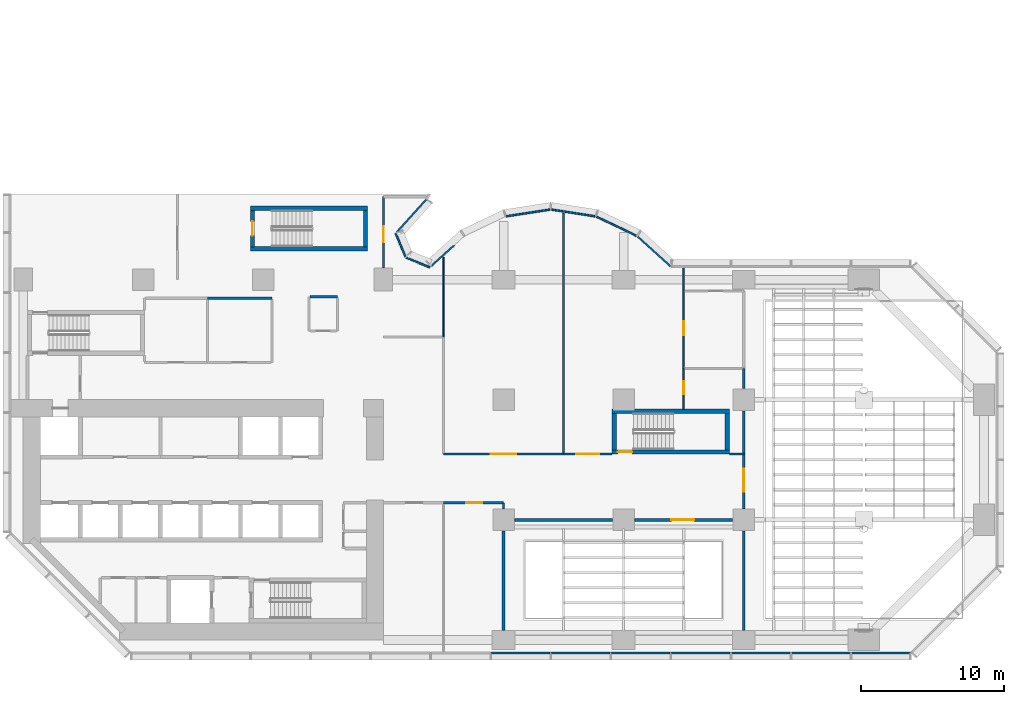
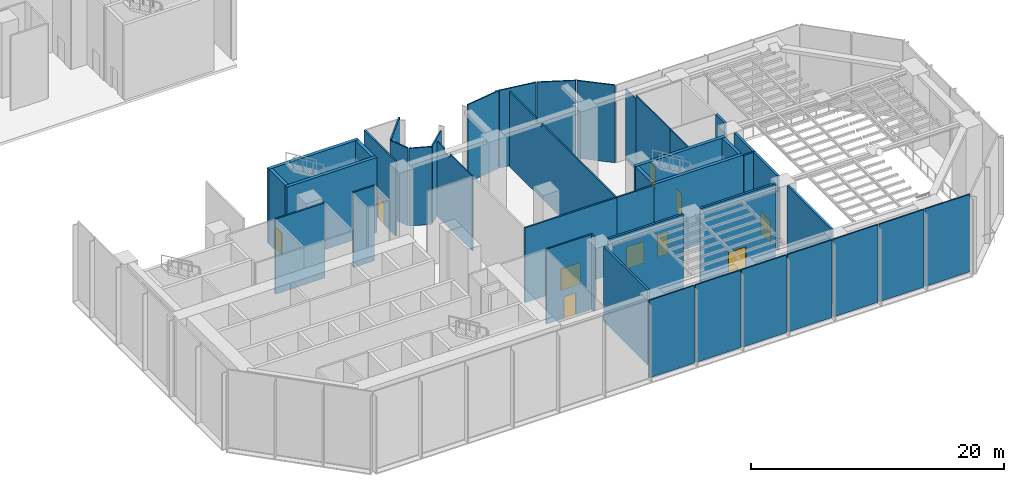
# One storey, part 14 of 22: 43 walls, 10 doors, 10 openings.
"""IFC4 building model written with IfcOpenShell, lengths in metres."""

from ifc_helpers import new_model, si_unit, direction, frame, frame_2d, origin, place, context, subcontext, project, spatial, polyline, rectangle, outline, extrude, material, layer, layer_set, type_object, element, fill, save


model = new_model("IFC4")

# Units and contexts
model_context = context("Model", 3, precision=1e-05, world=origin(), true_north=direction((0.0, 1.0)))
body_context = subcontext(model_context, "Body", "Model", "MODEL_VIEW")
ifc_project = project(units=[si_unit("LENGTHUNIT", "METRE"), si_unit("AREAUNIT", "SQUARE_METRE"), si_unit("VOLUMEUNIT", "CUBIC_METRE"), si_unit("PLANEANGLEUNIT", "RADIAN"), si_unit("MASSUNIT", "GRAM", prefix="KILO")], contexts=[model_context])

# Site, building, storey
site_placement = place(None, origin())
site = spatial("IfcSite", under=ifc_project, at=site_placement, CompositionType="ELEMENT")
building_placement = place(site_placement, origin())
building = spatial("IfcBuilding", under=site, at=building_placement, Name="Brevane Broadcast Tower", CompositionType="ELEMENT")
storey_placement = place(building_placement, frame((0.0, 0.0, 20.0)))
storey = spatial("IfcBuildingStorey", under=building, at=storey_placement, Name="L03", CompositionType="ELEMENT", Elevation=20.0)

# Walls
ifc_material_1 = material(Name="Gypsum board on steel studs", Category="steel")
ifc_layer_1 = layer(ifc_material_1, 0.14990234375)
ifc_layer_set_1 = layer_set([ifc_layer_1], Name="Core fire partition 150 mm")
wall_type_1 = type_object("IfcWallType", Name="Core fire partition 150 mm", PredefinedType="PARTITIONING", material=ifc_layer_set_1)
wall_1_placement = place(storey_placement, frame((12.89990234375, 23.89990234375, 0.0), z_axis=(0.0, 0.0, 1.0), x_axis=(1.0, 0.0, 0.0)))
element("IfcWall", 1, at=wall_1_placement, inside=storey, type_object=wall_type_1, Name="L03 partition wall P18", PredefinedType="PARTITIONING", context=body_context, shape_type="SweptSolid", body=[
    extrude(rectangle(XDim=4.5, YDim=0.14990234375, at=frame_2d((2.25, 0.0))), origin(), (0.0, 0.0, 1.0), 7.25),
])
wall_2_placement = place(storey_placement, frame((20.074951171875, 24.0, 0.0), z_axis=(0.0, 0.0, 1.0), x_axis=(1.0, 0.0, 0.0)))
element("IfcWall", 2, at=wall_2_placement, inside=storey, type_object=wall_type_1, Name="L03 partition wall P25", PredefinedType="PARTITIONING", context=body_context, shape_type="SweptSolid", body=[
    extrude(rectangle(XDim=1.925048828125, YDim=0.14990234375, at=frame_2d((0.96240234375, 0.0))), origin(), (0.0, 0.0, 1.0), 7.25),
])
ifc_material_2 = material(Name="Concrete C80/95", Category="concrete")
ifc_layer_2 = layer(ifc_material_2, 0.300048828125)
ifc_layer_set_2 = layer_set([ifc_layer_2], Name="Core wall 300 mm C80/95")
wall_type_2 = type_object("IfcWallType", Name="Core wall 300 mm C80/95", PredefinedType="SHEAR", material=ifc_layer_set_2)
for number, where, z_axis, x_axis, name in (
    (3, (15.89990234375, 27.35009765625, 0.0), (0.0, 0.0, 1.0), (1.0, 0.0, 0.0), "L03 stair wall ST-3-S"),
    (4, (15.89990234375, 30.199951171875, 0.0), (0.0, 0.0, 1.0), (1.0, 0.0, 0.0), "L03 stair wall ST-3-N"),
):
    element("IfcWall", number, at=place(storey_placement, frame(where, z_axis=z_axis, x_axis=x_axis)), inside=storey, type_object=wall_type_2, Name=name, PredefinedType="SHEAR", context=body_context, shape_type="SweptSolid", body=[
        extrude(rectangle(XDim=8.2001953125, YDim=0.300048828125, at=frame_2d((4.10009765625, 0.0))), origin(), (0.0, 0.0, 1.0), 7.25),
    ])

# Wall, opening, door
wall_3_placement = place(storey_placement, frame((16.050048828125, 27.5, 0.0), z_axis=(0.0, 0.0, 1.0), x_axis=(0.0, 1.0, 0.0)))
wall_3 = element("IfcWall", 5, at=wall_3_placement, inside=storey, type_object=wall_type_2, Name="L03 stair wall ST-3-W", PredefinedType="SHEAR", context=body_context, shape_type="SweptSolid", body=[
    extrude(rectangle(XDim=2.550048828125, YDim=0.300048828125, at=frame_2d((1.27490234375, 0.0))), origin(), (0.0, 0.0, 1.0), 7.25),
])
opening_1_placement = place(wall_3_placement, frame((0.77490234375, 0.0, 0.0)))
opening_1 = element("IfcOpeningElement", 6, at=opening_1_placement, cuts=wall_3, Name="Opening L03-K15", PredefinedType="OPENING", context=body_context, shape_type="SweptSolid", body=[
    extrude(rectangle(XDim=1.0, YDim=2.10009765625, at=frame_2d((0.5, 1.050048828125))), frame((0.0, 0.159912109375, 0.0), z_axis=(0.0, -1.0, 0.0), x_axis=(1.0, 0.0, 0.0)), (0.0, 0.0, 1.0), 0.320068359375),
])
ifc_material_3 = material(Name="Steel", Category="steel")
door_type_1 = type_object("IfcDoorType", Name="Stair door 1000 x 2100", OperationType="SINGLE_SWING_LEFT", PredefinedType="DOOR", material=ifc_material_3)
door_1_placement = place(opening_1_placement, origin())
door_1 = element("IfcDoor", 7, at=door_1_placement, inside=storey, type_object=door_type_1, Name="Door L03-K15", OperationType="SINGLE_SWING_RIGHT", OverallHeight=2.10009765625, OverallWidth=1.0, PredefinedType="DOOR", context=body_context, shape_type="SweptSolid", body=[
    extrude(rectangle(XDim=1.0, YDim=2.10009765625, at=frame_2d((0.5, 1.050048828125))), frame((0.0, 0.02490234375, 0.0), z_axis=(0.0, -1.0, 0.0), x_axis=(1.0, 0.0, 0.0)), (0.0, 0.0, 1.0), 0.050048828125),
])
fill(opening_1, door_1)

# Wall
wall_4_placement = place(storey_placement, frame((23.949951171875, 27.5, 0.0), z_axis=(0.0, 0.0, 1.0), x_axis=(0.0, 1.0, 0.0)))
element("IfcWall", 8, at=wall_4_placement, inside=storey, type_object=wall_type_2, Name="L03 stair wall ST-3-E", PredefinedType="SHEAR", context=body_context, shape_type="SweptSolid", body=[
    extrude(rectangle(XDim=2.550048828125, YDim=0.300048828125, at=frame_2d((1.27490234375, 0.0))), origin(), (0.0, 0.0, 1.0), 7.25),
])

# Wall, opening, door
wall_5_placement = place(storey_placement, frame((49.39990234375, 13.14990234375, 0.0), z_axis=(0.0, 0.0, 1.0), x_axis=(-1.0, 0.0, 0.0)))
wall_5 = element("IfcWall", 9, at=wall_5_placement, inside=storey, type_object=wall_type_2, Name="L03 stair wall ST-4-S", PredefinedType="SHEAR", context=body_context, shape_type="SweptSolid", body=[
    extrude(rectangle(XDim=8.199951171875, YDim=0.300048828125, at=frame_2d((4.10009765625, 0.0))), origin(), (0.0, 0.0, 1.0), 7.25),
])
opening_2_placement = place(wall_5_placement, frame((6.800048828125, 0.0, 0.0)))
opening_2 = element("IfcOpeningElement", 10, at=opening_2_placement, cuts=wall_5, Name="Opening L03-K16", PredefinedType="OPENING", context=body_context, shape_type="SweptSolid", body=[
    extrude(rectangle(XDim=1.0, YDim=2.10009765625, at=frame_2d((0.5, 1.050048828125))), frame((0.0, 0.159912109375, 0.0), z_axis=(0.0, -1.0, 0.0), x_axis=(1.0, 0.0, 0.0)), (0.0, 0.0, 1.0), 0.320068359375),
])
door_2_placement = place(opening_2_placement, origin())
door_2 = element("IfcDoor", 11, at=door_2_placement, inside=storey, type_object=door_type_1, Name="Door L03-K16", OperationType="SINGLE_SWING_LEFT", OverallHeight=2.10009765625, OverallWidth=1.0, PredefinedType="DOOR", context=body_context, shape_type="SweptSolid", body=[
    extrude(rectangle(XDim=1.0, YDim=2.10009765625, at=frame_2d((0.5, 1.050048828125))), frame((0.0, 0.02490234375, 0.0), z_axis=(0.0, -1.0, 0.0), x_axis=(1.0, 0.0, 0.0)), (0.0, 0.0, 1.0), 0.050048828125),
])
fill(opening_2, door_2)

# Walls
wall_6_placement = place(storey_placement, frame((41.199951171875, 16.0, 0.0), z_axis=(0.0, 0.0, 1.0), x_axis=(1.0, 0.0, 0.0)))
element("IfcWall", 12, at=wall_6_placement, inside=storey, type_object=wall_type_2, Name="L03 stair wall ST-4-N", PredefinedType="SHEAR", context=body_context, shape_type="SweptSolid", body=[
    extrude(rectangle(XDim=8.199951171875, YDim=0.300048828125, at=frame_2d((4.10009765625, 0.0))), origin(), (0.0, 0.0, 1.0), 7.25),
])
for number, where, z_axis, x_axis, name in (
    (13, (41.35009765625, 13.300048828125, 0.0), (0.0, 0.0, 1.0), (0.0, 1.0, 0.0), "L03 stair wall ST-4-W"),
    (14, (49.25, 13.300048828125, 0.0), (0.0, 0.0, 1.0), (0.0, 1.0, 0.0), "L03 stair wall ST-4-E"),
):
    element("IfcWall", number, at=place(storey_placement, frame(where, z_axis=z_axis, x_axis=x_axis)), inside=storey, type_object=wall_type_2, Name=name, PredefinedType="SHEAR", context=body_context, shape_type="SweptSolid", body=[
        extrude(rectangle(XDim=2.550048828125, YDim=0.300048828125, at=frame_2d((1.27490234375, 0.0))), origin(), (0.0, 0.0, 1.0), 7.25),
    ])
ifc_material_4 = material(Name="Gypsum board partition")
ifc_layer_3 = layer(ifc_material_4, 0.10009765625)
ifc_layer_set_3 = layer_set([ifc_layer_3], Name="PARTITION 100 STUD")
wall_type_3 = type_object("IfcWallType", Name="PARTITION 100 STUD", PredefinedType="PARTITIONING", material=ifc_layer_set_3)
wall_7_placement = place(storey_placement, frame((29.39990234375, 26.775634765625, 0.0), z_axis=(0.0, 0.0, 1.0), x_axis=(0.0, -1.0, 0.0)))
element("IfcWall", 15, at=wall_7_placement, inside=storey, type_object=wall_type_3, Name="Partition P3-004", PredefinedType="PARTITIONING", context=body_context, shape_type="SweptSolid", body=[
    extrude(outline(polyline([(0.0, 0.0), (5.57568359375, 0.0), (5.57568359375, 7.22998046875), (2.025634765625, 7.22998046875), (2.023681640625, 6.8798828125), (1.127685546875, 6.8798828125), (1.125732421875, 7.22998046875), (0.0, 7.22998046875), (0.0, 0.0)])), frame((0.0, 0.050048828125, 0.0), z_axis=(0.0, -1.0, 0.0), x_axis=(1.0, 0.0, 0.0)), (0.0, 0.0, 1.0), 0.10009765625),
])

# Wall, opening, door
wall_8_placement = place(storey_placement, frame((46.199951171875, 19.0, 0.0), z_axis=(0.0, 0.0, 1.0), x_axis=(0.0, -1.0, 0.0)))
wall_8 = element("IfcWall", 16, at=wall_8_placement, inside=storey, type_object=wall_type_3, Name="Partition P3-023", PredefinedType="PARTITIONING", context=body_context, shape_type="SweptSolid", body=[
    extrude(rectangle(XDim=2.85009765625, YDim=0.10009765625, at=frame_2d((1.425048828125, 0.0))), origin(), (0.0, 0.0, 1.0), 7.22998046875),
])
opening_3_placement = place(wall_8_placement, frame((0.89990234375, 0.0, 0.0)))
opening_3 = element("IfcOpeningElement", 17, at=opening_3_placement, cuts=wall_8, Name="Opening D04-008", PredefinedType="OPENING", context=body_context, shape_type="SweptSolid", body=[
    extrude(rectangle(XDim=0.89990234375, YDim=2.10009765625, at=frame_2d((0.449951171875, 1.050048828125))), frame((0.0, 0.06005859375, 0.0), z_axis=(0.0, -1.0, 0.0), x_axis=(1.0, 0.0, 0.0)), (0.0, 0.0, 1.0), 0.1201171875),
])
ifc_material_5 = material(Name="Timber door leaf", Category="wood")
door_type_2 = type_object("IfcDoorType", Name="DOOR SINGLE 900 INTERNAL", OperationType="SINGLE_SWING_LEFT", PredefinedType="DOOR", material=ifc_material_5)
door_3_placement = place(opening_3_placement, origin())
door_3 = element("IfcDoor", 18, at=door_3_placement, inside=storey, type_object=door_type_2, Name="Door D04-008", OperationType="SINGLE_SWING_LEFT", OverallHeight=2.10009765625, OverallWidth=0.89990234375, PredefinedType="DOOR", context=body_context, shape_type="SweptSolid", body=[
    extrude(rectangle(XDim=0.89990234375, YDim=2.10009765625, at=frame_2d((0.449951171875, 1.050048828125))), frame((0.0, 0.02490234375, 0.0), z_axis=(0.0, -1.0, 0.0), x_axis=(1.0, 0.0, 0.0)), (0.0, 0.0, 1.0), 0.050048828125),
])
fill(opening_3, door_3)

wall_9_placement = place(storey_placement, frame((46.199951171875, 24.39990234375, 0.0), z_axis=(0.0, 0.0, 1.0), x_axis=(0.0, -1.0, 0.0)))
wall_9 = element("IfcWall", 19, at=wall_9_placement, inside=storey, type_object=wall_type_3, Name="Partition P3-024", PredefinedType="PARTITIONING", context=body_context, shape_type="SweptSolid", body=[
    extrude(rectangle(XDim=5.39990234375, YDim=0.10009765625, at=frame_2d((2.699951171875, 0.0))), origin(), (0.0, 0.0, 1.0), 7.22998046875),
])
opening_4_placement = place(wall_9_placement, frame((2.10009765625, 0.0, 0.0)))
opening_4 = element("IfcOpeningElement", 20, at=opening_4_placement, cuts=wall_9, Name="Opening D04-009", PredefinedType="OPENING", context=body_context, shape_type="SweptSolid", body=[
    extrude(rectangle(XDim=1.0, YDim=2.10009765625, at=frame_2d((0.5, 1.050048828125))), frame((0.0, 0.06005859375, 0.0), z_axis=(0.0, -1.0, 0.0), x_axis=(1.0, 0.0, 0.0)), (0.0, 0.0, 1.0), 0.1201171875),
])
door_type_3 = type_object("IfcDoorType", Name="DOOR SINGLE 1000 INTERNAL", OperationType="SINGLE_SWING_LEFT", PredefinedType="DOOR", material=ifc_material_5)
door_4_placement = place(opening_4_placement, origin())
door_4 = element("IfcDoor", 21, at=door_4_placement, inside=storey, type_object=door_type_3, Name="Door D04-009", OperationType="SINGLE_SWING_LEFT", OverallHeight=2.10009765625, OverallWidth=1.0, PredefinedType="DOOR", context=body_context, shape_type="SweptSolid", body=[
    extrude(rectangle(XDim=1.0, YDim=2.10009765625, at=frame_2d((0.5, 1.050048828125))), frame((0.0, 0.02490234375, 0.0), z_axis=(0.0, -1.0, 0.0), x_axis=(1.0, 0.0, 0.0)), (0.0, 0.0, 1.0), 0.050048828125),
])
fill(opening_4, door_4)

# Walls
wall_10_placement = place(storey_placement, frame((46.199951171875, 25.998046875, 0.0), z_axis=(0.0, 0.0, 1.0), x_axis=(0.0, -1.0, 0.0)))
element("IfcWall", 22, at=wall_10_placement, inside=storey, type_object=wall_type_3, Name="Partition P3-025", PredefinedType="PARTITIONING", context=body_context, shape_type="SweptSolid", body=[
    extrude(rectangle(XDim=1.59814453125, YDim=0.10009765625, at=frame_2d((0.799072265625, 0.0))), origin(), (0.0, 0.0, 1.0), 6.8798828125),
])
ifc_layer_4 = layer(ifc_material_4, 0.125)
ifc_layer_set_4 = layer_set([ifc_layer_4], Name="PARTITION 125 ACOUSTIC")
wall_type_4 = type_object("IfcWallType", Name="PARTITION 125 ACOUSTIC", PredefinedType="PARTITIONING", material=ifc_layer_set_4)
wall_11_placement = place(storey_placement, frame((37.800048828125, 29.84423828125, 0.0), z_axis=(0.0, 0.0, 1.0), x_axis=(0.0, -1.0, 0.0)))
element("IfcWall", 23, at=wall_11_placement, inside=storey, type_object=wall_type_4, Name="Partition P3-022", PredefinedType="PARTITIONING", context=body_context, shape_type="SweptSolid", body=[
    extrude(outline(polyline([(0.0, 0.0), (16.84423828125, 0.0), (16.84423828125, 7.22998046875), (5.09423828125, 7.22998046875), (5.09228515625, 6.8798828125), (4.1962890625, 6.8798828125), (4.1943359375, 7.22998046875), (0.0, 7.22998046875), (0.0, 0.0)])), frame((0.0, 0.0625, 0.0), z_axis=(0.0, -1.0, 0.0), x_axis=(1.0, 0.0, 0.0)), (0.0, 0.0, 1.0), 0.125),
])

# Wall, opening, door
ifc_layer_5 = layer(ifc_material_4, 0.14990234375)
ifc_layer_set_5 = layer_set([ifc_layer_5], Name="PARTITION 150 EI 60")
wall_type_5 = type_object("IfcWallType", Name="PARTITION 150 EI 60", PredefinedType="PARTITIONING", material=ifc_layer_set_5)
wall_12_placement = place(storey_placement, frame((25.199951171875, 31.0, 0.0), z_axis=(0.0, 0.0, 1.0), x_axis=(0.0, -1.0, 0.0)))
wall_12 = element("IfcWall", 24, at=wall_12_placement, inside=storey, type_object=wall_type_5, Name="Partition P3-005", PredefinedType="PARTITIONING", context=body_context, shape_type="SweptSolid", body=[
    extrude(rectangle(XDim=4.97998046875, YDim=0.14990234375, at=frame_2d((2.489990234375, 0.0))), origin(), (0.0, 0.0, 1.0), 7.22998046875),
])
opening_5_placement = place(wall_12_placement, frame((2.080078125, 0.0, 0.0)))
opening_5 = element("IfcOpeningElement", 25, at=opening_5_placement, cuts=wall_12, Name="Opening D04-001", PredefinedType="OPENING", context=body_context, shape_type="SweptSolid", body=[
    extrude(rectangle(XDim=1.10009765625, YDim=2.10009765625, at=frame_2d((0.550048828125, 1.050048828125))), frame((0.0, 0.0849609375, 0.0), z_axis=(0.0, -1.0, 0.0), x_axis=(1.0, 0.0, 0.0)), (0.0, 0.0, 1.0), 0.169921875),
])
ifc_material_6 = material(Name="Fire-rated timber door leaf", Category="wood")
door_type_4 = type_object("IfcDoorType", Name="DOOR SINGLE 1100 FD30S", OperationType="SINGLE_SWING_LEFT", PredefinedType="DOOR", material=ifc_material_6)
door_5_placement = place(opening_5_placement, origin())
door_5 = element("IfcDoor", 26, at=door_5_placement, inside=storey, type_object=door_type_4, Name="Door D04-001", OperationType="SINGLE_SWING_RIGHT", OverallHeight=2.10009765625, OverallWidth=1.10009765625, PredefinedType="DOOR", context=body_context, shape_type="SweptSolid", body=[
    extrude(rectangle(XDim=1.10009765625, YDim=2.10009765625, at=frame_2d((0.550048828125, 1.050048828125))), frame((0.0, 0.02490234375, 0.0), z_axis=(0.0, -1.0, 0.0), x_axis=(1.0, 0.0, 0.0)), (0.0, 0.0, 1.0), 0.050048828125),
])
fill(opening_5, door_5)

wall_13_placement = place(storey_placement, frame((33.60009765625, 9.60009765625, 0.0), z_axis=(0.0, 0.0, 1.0), x_axis=(-1.0, 0.0, 0.0)))
wall_13 = element("IfcWall", 27, at=wall_13_placement, inside=storey, type_object=wall_type_5, Name="Partition P3-011", PredefinedType="PARTITIONING", context=body_context, shape_type="SweptSolid", body=[
    extrude(rectangle(XDim=4.2001953125, YDim=0.14990234375, at=frame_2d((2.10009765625, 0.0))), origin(), (0.0, 0.0, 1.0), 7.22998046875),
])
opening_6_placement = place(wall_13_placement, frame((1.5, 0.0, 0.0)))
opening_6 = element("IfcOpeningElement", 28, at=opening_6_placement, cuts=wall_13, Name="Opening D04-005", PredefinedType="OPENING", context=body_context, shape_type="SweptSolid", body=[
    extrude(rectangle(XDim=1.10009765625, YDim=2.10009765625, at=frame_2d((0.550048828125, 1.050048828125))), frame((0.0, 0.0849609375, 0.0), z_axis=(0.0, -1.0, 0.0), x_axis=(1.0, 0.0, 0.0)), (0.0, 0.0, 1.0), 0.169921875),
])
door_6_placement = place(opening_6_placement, origin())
door_6 = element("IfcDoor", 29, at=door_6_placement, inside=storey, type_object=door_type_4, Name="Door D04-005", OperationType="SINGLE_SWING_LEFT", OverallHeight=2.10009765625, OverallWidth=1.10009765625, PredefinedType="DOOR", context=body_context, shape_type="SweptSolid", body=[
    extrude(rectangle(XDim=1.10009765625, YDim=2.10009765625, at=frame_2d((0.550048828125, 1.050048828125))), frame((0.0, 0.02490234375, 0.0), z_axis=(0.0, -1.0, 0.0), x_axis=(1.0, 0.0, 0.0)), (0.0, 0.0, 1.0), 0.050048828125),
])
fill(opening_6, door_6)

# Wall
wall_14_placement = place(storey_placement, frame((33.60009765625, 9.169921875, 0.0), z_axis=(0.0, 0.0, 1.0), x_axis=(0.0, 1.0, 0.0)))
element("IfcWall", 30, at=wall_14_placement, inside=storey, type_object=wall_type_5, Name="Partition P3-012", PredefinedType="PARTITIONING", context=body_context, shape_type="SweptSolid", body=[
    extrude(rectangle(XDim=0.41015625, YDim=0.14990234375, at=frame_2d((0.205078125, 0.0))), origin(), (0.0, 0.0, 1.0), 7.22998046875),
])

# Wall, opening, door
wall_15_placement = place(storey_placement, frame((29.39990234375, 13.0, 0.0), z_axis=(0.0, 0.0, 1.0), x_axis=(1.0, 0.0, 0.0)))
wall_15 = element("IfcWall", 31, at=wall_15_placement, inside=storey, type_object=wall_type_5, Name="Partition P3-013", PredefinedType="PARTITIONING", context=body_context, shape_type="SweptSolid", body=[
    extrude(rectangle(XDim=8.400146484375, YDim=0.14990234375, at=frame_2d((4.2001953125, 0.0))), origin(), (0.0, 0.0, 1.0), 7.22998046875),
])
opening_7_placement = place(wall_15_placement, frame((3.300048828125, 0.0, 0.0)))
opening_7 = element("IfcOpeningElement", 32, at=opening_7_placement, cuts=wall_15, Name="Opening D04-006", PredefinedType="OPENING", context=body_context, shape_type="SweptSolid", body=[
    extrude(rectangle(XDim=1.800048828125, YDim=2.10009765625, at=frame_2d((0.89990234375, 1.050048828125))), frame((0.0, 0.0849609375, 0.0), z_axis=(0.0, -1.0, 0.0), x_axis=(1.0, 0.0, 0.0)), (0.0, 0.0, 1.0), 0.169921875),
])
door_type_5 = type_object("IfcDoorType", Name="DOOR DOUBLE 1800 FD30S", OperationType="DOUBLE_DOOR_SINGLE_SWING", PredefinedType="DOOR", material=ifc_material_6)
door_7_placement = place(opening_7_placement, origin())
door_7 = element("IfcDoor", 33, at=door_7_placement, inside=storey, type_object=door_type_5, Name="Door D04-006", OperationType="DOUBLE_DOOR_SINGLE_SWING", OverallHeight=2.10009765625, OverallWidth=1.800048828125, PredefinedType="DOOR", context=body_context, shape_type="SweptSolid", body=[
    extrude(rectangle(XDim=1.800048828125, YDim=2.10009765625, at=frame_2d((0.89990234375, 1.050048828125))), frame((0.0, 0.02490234375, 0.0), z_axis=(0.0, -1.0, 0.0), x_axis=(1.0, 0.0, 0.0)), (0.0, 0.0, 1.0), 0.050048828125),
])
fill(opening_7, door_7)

wall_16_placement = place(storey_placement, frame((37.800048828125, 13.0, 0.0), z_axis=(0.0, 0.0, 1.0), x_axis=(1.0, 0.0, 0.0)))
wall_16 = element("IfcWall", 34, at=wall_16_placement, inside=storey, type_object=wall_type_5, Name="Partition P3-014", PredefinedType="PARTITIONING", context=body_context, shape_type="SweptSolid", body=[
    extrude(rectangle(XDim=3.39990234375, YDim=0.14990234375, at=frame_2d((1.699951171875, 0.0))), origin(), (0.0, 0.0, 1.0), 7.22998046875),
])
opening_8_placement = place(wall_16_placement, frame((0.89990234375, 0.0, 0.0)))
opening_8 = element("IfcOpeningElement", 35, at=opening_8_placement, cuts=wall_16, Name="Opening D04-007", PredefinedType="OPENING", context=body_context, shape_type="SweptSolid", body=[
    extrude(rectangle(XDim=1.60009765625, YDim=2.10009765625, at=frame_2d((0.800048828125, 1.050048828125))), frame((0.0, 0.0849609375, 0.0), z_axis=(0.0, -1.0, 0.0), x_axis=(1.0, 0.0, 0.0)), (0.0, 0.0, 1.0), 0.169921875),
])
door_type_6 = type_object("IfcDoorType", Name="DOOR DOUBLE 1600 FD30S", OperationType="DOUBLE_DOOR_SINGLE_SWING", PredefinedType="DOOR", material=ifc_material_6)
door_8_placement = place(opening_8_placement, origin())
door_8 = element("IfcDoor", 36, at=door_8_placement, inside=storey, type_object=door_type_6, Name="Door D04-007", OperationType="DOUBLE_DOOR_SINGLE_SWING", OverallHeight=2.10009765625, OverallWidth=1.60009765625, PredefinedType="DOOR", context=body_context, shape_type="SweptSolid", body=[
    extrude(rectangle(XDim=1.60009765625, YDim=2.10009765625, at=frame_2d((0.800048828125, 1.050048828125))), frame((0.0, 0.02490234375, 0.0), z_axis=(0.0, -1.0, 0.0), x_axis=(1.0, 0.0, 0.0)), (0.0, 0.0, 1.0), 0.050048828125),
])
fill(opening_8, door_8)

# Wall
wall_17_placement = place(storey_placement, frame((49.39990234375, 13.0, 0.0), z_axis=(0.0, 0.0, 1.0), x_axis=(1.0, 0.0, 0.0)))
element("IfcWall", 37, at=wall_17_placement, inside=storey, type_object=wall_type_5, Name="Partition P3-015", PredefinedType="PARTITIONING", context=body_context, shape_type="SweptSolid", body=[
    extrude(rectangle(XDim=1.0, YDim=0.14990234375, at=frame_2d((0.5, 0.0))), origin(), (0.0, 0.0, 1.0), 7.22998046875),
])

# Wall, opening, door
ifc_layer_6 = layer(ifc_material_4, 0.199951171875)
ifc_layer_set_6 = layer_set([ifc_layer_6], Name="PARTITION 200 EI 120")
wall_type_6 = type_object("IfcWallType", Name="PARTITION 200 EI 120", PredefinedType="PARTITIONING", material=ifc_layer_set_6)
wall_18_placement = place(storey_placement, frame((50.39990234375, 13.0, 0.0), z_axis=(0.0, 0.0, 1.0), x_axis=(0.0, -1.0, 0.0)))
wall_18 = element("IfcWall", 38, at=wall_18_placement, inside=storey, type_object=wall_type_6, Name="Partition P3-008", PredefinedType="PARTITIONING", context=body_context, shape_type="SweptSolid", body=[
    extrude(rectangle(XDim=3.830078125, YDim=0.199951171875, at=frame_2d((1.9150390625, 0.0))), origin(), (0.0, 0.0, 1.0), 7.22998046875),
])
opening_9_placement = place(wall_18_placement, frame((1.030029296875, 0.0, 0.0)))
opening_9 = element("IfcOpeningElement", 39, at=opening_9_placement, cuts=wall_18, Name="Opening D04-002", PredefinedType="OPENING", context=body_context, shape_type="SweptSolid", body=[
    extrude(rectangle(XDim=1.60009765625, YDim=2.10009765625, at=frame_2d((0.800048828125, 1.050048828125))), frame((0.0, 0.10986328125, 0.0), z_axis=(0.0, -1.0, 0.0), x_axis=(1.0, 0.0, 0.0)), (0.0, 0.0, 1.0), 0.219970703125),
])
door_9_placement = place(opening_9_placement, origin())
door_9 = element("IfcDoor", 40, at=door_9_placement, inside=storey, type_object=door_type_6, Name="Door D04-002", OperationType="DOUBLE_DOOR_SINGLE_SWING", OverallHeight=2.10009765625, OverallWidth=1.60009765625, PredefinedType="DOOR", context=body_context, shape_type="SweptSolid", body=[
    extrude(rectangle(XDim=1.60009765625, YDim=2.10009765625, at=frame_2d((0.800048828125, 1.050048828125))), frame((0.0, 0.02490234375, 0.0), z_axis=(0.0, -1.0, 0.0), x_axis=(1.0, 0.0, 0.0)), (0.0, 0.0, 1.0), 0.050048828125),
])
fill(opening_9, door_9)

wall_19_placement = place(storey_placement, frame((49.6298828125, 8.39990234375, 0.0), z_axis=(0.0, 0.0, 1.0), x_axis=(-1.0, 0.0, 0.0)))
wall_19 = element("IfcWall", 41, at=wall_19_placement, inside=storey, type_object=wall_type_6, Name="Partition P3-009", PredefinedType="PARTITIONING", context=body_context, shape_type="SweptSolid", body=[
    extrude(rectangle(XDim=6.85986328125, YDim=0.199951171875, at=frame_2d((3.429931640625, 0.0))), origin(), (0.0, 0.0, 1.0), 7.22998046875),
])
opening_10_placement = place(wall_19_placement, frame((2.699951171875, 0.0, 0.0)))
opening_10 = element("IfcOpeningElement", 42, at=opening_10_placement, cuts=wall_19, Name="Opening D04-003", PredefinedType="OPENING", context=body_context, shape_type="SweptSolid", body=[
    extrude(rectangle(XDim=1.60009765625, YDim=2.10009765625, at=frame_2d((0.800048828125, 1.050048828125))), frame((0.0, 0.10986328125, 0.0), z_axis=(0.0, -1.0, 0.0), x_axis=(1.0, 0.0, 0.0)), (0.0, 0.0, 1.0), 0.219970703125),
])
door_10_placement = place(opening_10_placement, origin())
door_10 = element("IfcDoor", 43, at=door_10_placement, inside=storey, type_object=door_type_6, Name="Door D04-003", OperationType="DOUBLE_DOOR_SINGLE_SWING", OverallHeight=2.10009765625, OverallWidth=1.60009765625, PredefinedType="DOOR", context=body_context, shape_type="SweptSolid", body=[
    extrude(rectangle(XDim=1.60009765625, YDim=2.10009765625, at=frame_2d((0.800048828125, 1.050048828125))), frame((0.0, 0.02490234375, 0.0), z_axis=(0.0, -1.0, 0.0), x_axis=(1.0, 0.0, 0.0)), (0.0, 0.0, 1.0), 0.050048828125),
])
fill(opening_10, door_10)

# Walls
wall_20_placement = place(storey_placement, frame((41.22998046875, 8.39990234375, 0.0), z_axis=(0.0, 0.0, 1.0), x_axis=(-1.0, 0.0, 0.0)))
element("IfcWall", 44, at=wall_20_placement, inside=storey, type_object=wall_type_6, Name="Partition P3-010", PredefinedType="PARTITIONING", context=body_context, shape_type="SweptSolid", body=[
    extrude(rectangle(XDim=6.85986328125, YDim=0.199951171875, at=frame_2d((3.429931640625, 0.0))), origin(), (0.0, 0.0, 1.0), 7.22998046875),
])
wall_21_placement = place(storey_placement, frame((50.39990234375, 0.669921875, 0.0), z_axis=(0.0, 0.0, 1.0), x_axis=(0.0, 1.0, 0.0)))
element("IfcWall", 45, at=wall_21_placement, inside=storey, type_object=wall_type_6, Name="Partition P3-016", PredefinedType="PARTITIONING", context=body_context, shape_type="SweptSolid", body=[
    extrude(rectangle(XDim=6.9599609375, YDim=0.199951171875, at=frame_2d((3.47998046875, 0.0))), origin(), (0.0, 0.0, 1.0), 7.22998046875),
])
wall_22_placement = place(storey_placement, frame((50.39990234375, 13.0, 0.0), z_axis=(0.0, 0.0, 1.0), x_axis=(0.0, 1.0, 0.0)))
element("IfcWall", 46, at=wall_22_placement, inside=storey, type_object=wall_type_6, Name="Partition P3-017", PredefinedType="PARTITIONING", context=body_context, shape_type="SweptSolid", body=[
    extrude(rectangle(XDim=3.030029296875, YDim=0.199951171875, at=frame_2d((1.51513671875, 0.0))), origin(), (0.0, 0.0, 1.0), 7.22998046875),
])
wall_23_placement = place(storey_placement, frame((50.39990234375, 17.570068359375, 0.0), z_axis=(0.0, 0.0, 1.0), x_axis=(0.0, 1.0, 0.0)))
element("IfcWall", 47, at=wall_23_placement, inside=storey, type_object=wall_type_6, Name="Partition P3-018", PredefinedType="PARTITIONING", context=body_context, shape_type="SweptSolid", body=[
    extrude(rectangle(XDim=1.429931640625, YDim=0.199951171875, at=frame_2d((0.71484375, 0.0))), origin(), (0.0, 0.0, 1.0), 7.22998046875),
])
wall_24_placement = place(storey_placement, frame((33.60009765625, 0.669921875, 0.0), z_axis=(0.0, 0.0, 1.0), x_axis=(0.0, 1.0, 0.0)))
element("IfcWall", 48, at=wall_24_placement, inside=storey, type_object=wall_type_6, Name="Partition P3-020", PredefinedType="PARTITIONING", context=body_context, shape_type="SweptSolid", body=[
    extrude(rectangle(XDim=6.9599609375, YDim=0.199951171875, at=frame_2d((3.47998046875, 0.0))), origin(), (0.0, 0.0, 1.0), 7.22998046875),
])
ifc_material_7 = material(Name="Precast concrete C40/50", Category="concrete")
ifc_layer_7 = layer(ifc_material_7, 0.1201171875)
ifc_layer_set_7 = layer_set([ifc_layer_7], Name="Podium precast cladding wall 120 C40/50")
wall_type_7 = type_object("IfcWallType", Name="Podium precast cladding wall 120 C40/50", PredefinedType="SOLIDWALL", material=ifc_layer_set_7)
wall_25_placement = place(storey_placement, origin())
element("IfcWall", 49, at=wall_25_placement, inside=storey, type_object=wall_type_7, Name="Podium precast cladding wall", PredefinedType="SOLIDWALL", context=body_context, shape_type="SweptSolid", body=[
    extrude(outline(polyline([(36.85498046875, -0.969970703125), (36.85498046875, -0.85009765625), (32.7451171875, -0.85009765625), (32.7451171875, -0.969970703125), (36.85498046875, -0.969970703125)])), origin(), (0.0, 0.0, 1.0), 7.5),
])
wall_26_placement = place(storey_placement, origin())
element("IfcWall", 50, at=wall_26_placement, inside=storey, type_object=wall_type_7, Name="Podium precast cladding wall", PredefinedType="SOLIDWALL", context=body_context, shape_type="SweptSolid", body=[
    extrude(outline(polyline([(41.054931640625, -0.969970703125), (41.054931640625, -0.85009765625), (36.945068359375, -0.85009765625), (36.945068359375, -0.969970703125), (41.054931640625, -0.969970703125)])), origin(), (0.0, 0.0, 1.0), 7.5),
])
wall_27_placement = place(storey_placement, origin())
element("IfcWall", 51, at=wall_27_placement, inside=storey, type_object=wall_type_7, Name="Podium precast cladding wall", PredefinedType="SOLIDWALL", context=body_context, shape_type="SweptSolid", body=[
    extrude(outline(polyline([(45.2548828125, -0.969970703125), (45.2548828125, -0.85009765625), (41.14501953125, -0.85009765625), (41.14501953125, -0.969970703125), (45.2548828125, -0.969970703125)])), origin(), (0.0, 0.0, 1.0), 7.5),
])
wall_28_placement = place(storey_placement, origin())
element("IfcWall", 52, at=wall_28_placement, inside=storey, type_object=wall_type_7, Name="Podium precast cladding wall", PredefinedType="SOLIDWALL", context=body_context, shape_type="SweptSolid", body=[
    extrude(outline(polyline([(49.455078125, -0.969970703125), (49.455078125, -0.85009765625), (45.344970703125, -0.85009765625), (45.344970703125, -0.969970703125), (49.455078125, -0.969970703125)])), origin(), (0.0, 0.0, 1.0), 7.5),
])
wall_29_placement = place(storey_placement, origin())
element("IfcWall", 53, at=wall_29_placement, inside=storey, type_object=wall_type_7, Name="Podium precast cladding wall", PredefinedType="SOLIDWALL", context=body_context, shape_type="SweptSolid", body=[
    extrude(outline(polyline([(53.655029296875, -0.969970703125), (53.655029296875, -0.85009765625), (49.544921875, -0.85009765625), (49.544921875, -0.969970703125), (53.655029296875, -0.969970703125)])), origin(), (0.0, 0.0, 1.0), 7.5),
])
wall_30_placement = place(storey_placement, origin())
element("IfcWall", 54, at=wall_30_placement, inside=storey, type_object=wall_type_7, Name="Podium precast cladding wall", PredefinedType="SOLIDWALL", context=body_context, shape_type="SweptSolid", body=[
    extrude(outline(polyline([(57.85498046875, -0.969970703125), (57.85498046875, -0.85009765625), (53.7451171875, -0.85009765625), (53.7451171875, -0.969970703125), (57.85498046875, -0.969970703125)])), origin(), (0.0, 0.0, 1.0), 7.5),
])
wall_31_placement = place(storey_placement, origin())
element("IfcWall", 55, at=wall_31_placement, inside=storey, type_object=wall_type_7, Name="Podium precast cladding wall", PredefinedType="SOLIDWALL", context=body_context, shape_type="SweptSolid", body=[
    extrude(outline(polyline([(62.054931640625, -0.969970703125), (62.054931640625, -0.85009765625), (57.945068359375, -0.85009765625), (57.945068359375, -0.969970703125), (62.054931640625, -0.969970703125)])), origin(), (0.0, 0.0, 1.0), 7.5),
])
wall_32_placement = place(storey_placement, origin())
element("IfcWall", 56, at=wall_32_placement, inside=storey, type_object=wall_type_7, Name="Podium precast cladding wall", PredefinedType="SOLIDWALL", context=body_context, shape_type="SweptSolid", body=[
    extrude(outline(polyline([(45.233154296875, 26.093017578125), (45.3134765625, 26.18212890625), (43.00537109375, 28.267333984375), (42.93798828125, 28.16650390625), (45.233154296875, 26.093017578125)])), origin(), (0.0, 0.0, 1.0), 7.5),
])
wall_33_placement = place(storey_placement, origin())
element("IfcWall", 57, at=wall_33_placement, inside=storey, type_object=wall_type_7, Name="Podium precast cladding wall", PredefinedType="SOLIDWALL", context=body_context, shape_type="SweptSolid", body=[
    extrude(outline(polyline([(42.863037109375, 28.216796875), (42.930419921875, 28.3173828125), (40.114990234375, 29.658203125), (40.079345703125, 29.542236328125), (42.863037109375, 28.216796875)])), origin(), (0.0, 0.0, 1.0), 7.5),
])
wall_34_placement = place(storey_placement, origin())
element("IfcWall", 58, at=wall_34_placement, inside=storey, type_object=wall_type_7, Name="Podium precast cladding wall", PredefinedType="SOLIDWALL", context=body_context, shape_type="SweptSolid", body=[
    extrude(outline(polyline([(39.993408203125, 29.56884765625), (40.029052734375, 29.684814453125), (36.945068359375, 30.163818359375), (36.945068359375, 30.04248046875), (39.993408203125, 29.56884765625)])), origin(), (0.0, 0.0, 1.0), 7.5),
])
wall_35_placement = place(storey_placement, origin())
element("IfcWall", 59, at=wall_35_placement, inside=storey, type_object=wall_type_7, Name="Podium precast cladding wall", PredefinedType="SOLIDWALL", context=body_context, shape_type="SweptSolid", body=[
    extrude(outline(polyline([(36.85498046875, 30.04248046875), (36.85498046875, 30.163818359375), (33.77099609375, 29.684814453125), (33.806640625, 29.56884765625), (36.85498046875, 30.04248046875)])), origin(), (0.0, 0.0, 1.0), 7.5),
])
wall_36_placement = place(storey_placement, origin())
element("IfcWall", 60, at=wall_36_placement, inside=storey, type_object=wall_type_7, Name="Podium precast cladding wall", PredefinedType="SOLIDWALL", context=body_context, shape_type="SweptSolid", body=[
    extrude(outline(polyline([(30.223876953125, 27.590087890625), (30.044921875, 27.590087890625), (28.486572265625, 26.18212890625), (28.56689453125, 26.093017578125), (30.223876953125, 27.590087890625)])), origin(), (0.0, 0.0, 1.0), 7.5),
])
wall_37_placement = place(storey_placement, origin())
element("IfcWall", 61, at=wall_37_placement, inside=storey, type_object=wall_type_7, Name="Podium precast cladding wall", PredefinedType="SOLIDWALL", context=body_context, shape_type="SweptSolid", body=[
    extrude(outline(polyline([(28.412109375, 26.00537109375), (28.4580078125, 26.1162109375), (26.846923828125, 26.783447265625), (26.755126953125, 26.691650390625), (28.412109375, 26.00537109375)])), origin(), (0.0, 0.0, 1.0), 7.5),
])
wall_38_placement = place(storey_placement, origin())
element("IfcWall", 62, at=wall_38_placement, inside=storey, type_object=wall_type_7, Name="Podium precast cladding wall", PredefinedType="SOLIDWALL", context=body_context, shape_type="SweptSolid", body=[
    extrude(outline(polyline([(26.691650390625, 26.755126953125), (26.783447265625, 26.846923828125), (26.1162109375, 28.4580078125), (26.00537109375, 28.412109375), (26.691650390625, 26.755126953125)])), origin(), (0.0, 0.0, 1.0), 7.5),
])
wall_39_placement = place(storey_placement, origin())
element("IfcWall", 63, at=wall_39_placement, inside=storey, type_object=wall_type_7, Name="Podium precast cladding wall", PredefinedType="SOLIDWALL", context=body_context, shape_type="SweptSolid", body=[
    extrude(outline(polyline([(26.093017578125, 28.56689453125), (26.18212890625, 28.486572265625), (28.267333984375, 30.794677734375), (28.16650390625, 30.862060546875), (26.093017578125, 28.56689453125)])), origin(), (0.0, 0.0, 1.0), 7.5),
])

save(model, "model.ifc")
